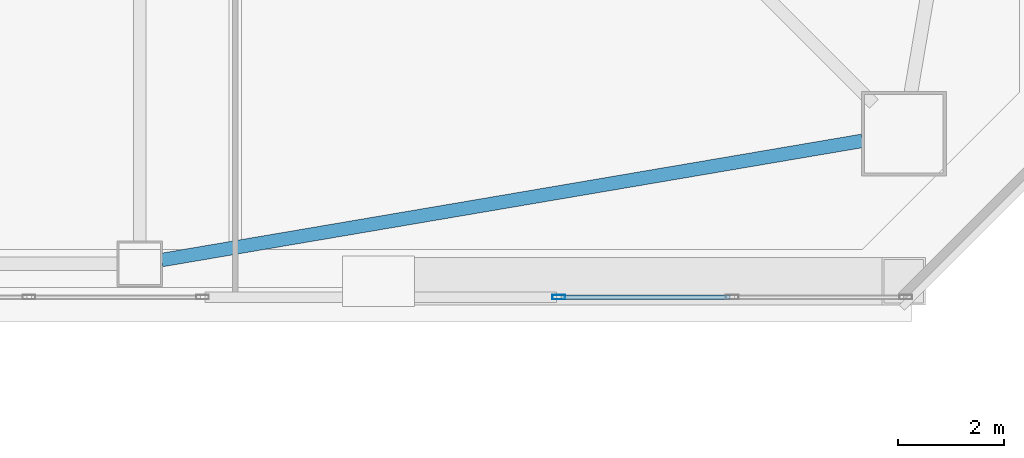
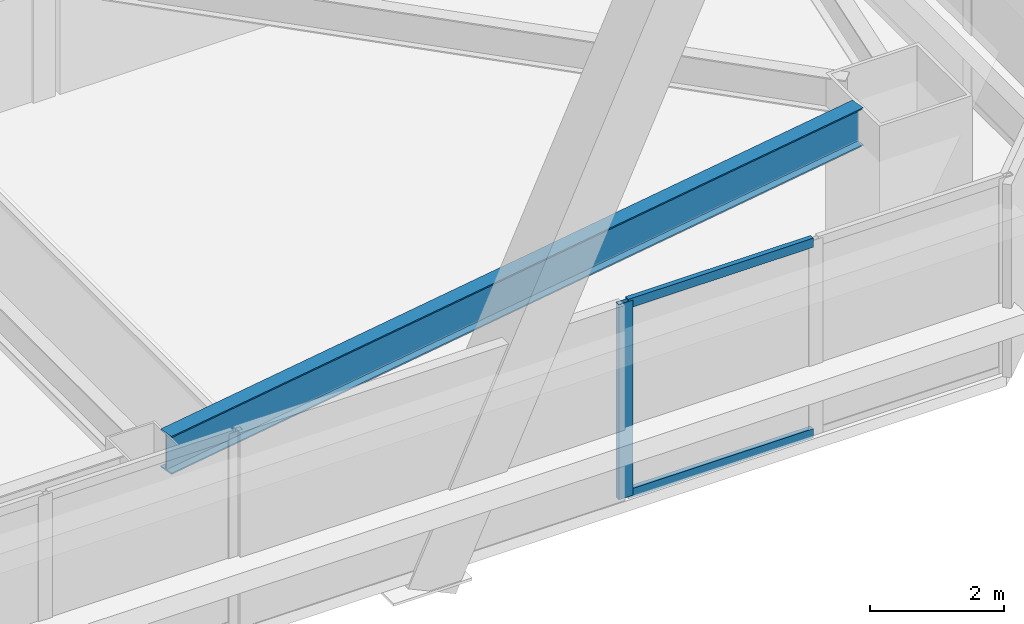
# One storey, part 10 of 75: 3 members, 1 beam, 1 element without a shape of its own.
"""IFC4 building model written with IfcOpenShell, lengths in metres."""

from ifc_helpers import new_model, si_unit, direction, frame, origin, origin_2d, place, context, subcontext, project, spatial, hollow_rectangle, i_section, extrude, material, material_profile, profile_set, type_object, element, aggregate, save


model = new_model("IFC4")

# Units and contexts
model_context = context("Model", 3, precision=1e-05, world=origin(), true_north=direction((0.0, 1.0)))
body_context = subcontext(model_context, "Body", "Model", "MODEL_VIEW")
ifc_project = project(units=[si_unit("LENGTHUNIT", "METRE"), si_unit("AREAUNIT", "SQUARE_METRE"), si_unit("VOLUMEUNIT", "CUBIC_METRE"), si_unit("PLANEANGLEUNIT", "RADIAN"), si_unit("MASSUNIT", "GRAM", prefix="KILO")], contexts=[model_context])

# Site, building, storey
site_placement = place(None, origin())
site = spatial("IfcSite", under=ifc_project, at=site_placement, CompositionType="ELEMENT")
building_placement = place(site_placement, origin())
building = spatial("IfcBuilding", under=site, at=building_placement, Name="Tashvorn Skyway Center", CompositionType="ELEMENT")
storey_placement = place(building_placement, frame((0.0, 0.0, 45.89990234375)))
storey = spatial("IfcBuildingStorey", under=building, at=storey_placement, Name="L11", CompositionType="ELEMENT", Elevation=45.89990234375)

# Beam
ifc_material_1 = material(Name="Steel ASTM A992 Grade 50", Category="steel")
ifc_material_profile_1 = material_profile(ifc_material_1, i_section(OverallWidth=0.256103515625, OverallDepth=0.693115234375, WebThickness=0.014404296875, FlangeThickness=0.023681640625, at=origin_2d()), Name="W27X114")
ifc_profile_set_1 = profile_set([ifc_material_profile_1], Name="Steel ASTM A992 Grade 50")
beam_type = type_object("IfcBeamType", Name="BM-SPANDREL-W27X114", PredefinedType="SPANDREL", material=ifc_profile_set_1)
beam_placement = place(storey_placement, frame((47.81396484375, 9.820556640625, 3.003662109375), z_axis=(0.985835025551, 0.16771792509, 0.0), x_axis=(-0.16771792509, 0.985835025551, 0.0)))
element("IfcBeam", 1, at=beam_placement, inside=storey, type_object=beam_type, Name="Tower 1 L11 Spandrel Beam 03", PredefinedType="SPANDREL", context=body_context, shape_type="SweptSolid", body=[
    extrude(i_section(OverallWidth=0.256103515625, OverallDepth=0.693115234375, WebThickness=0.014404296875, FlangeThickness=0.023681640625, at=origin_2d()), origin(), (0.0, 0.0, 1.0), 13.39208984375),
])

# Curtain wall, members
ifc_material_2 = material(Name="Thermally broken bronze-anodized aluminium 6063-T6", Category="aluminium")
curtain_wall_type = type_object("IfcCurtainWallType", Name="CW-CW-Z1", PredefinedType="NOTDEFINED", material=ifc_material_2)
curtain_wall_placement = place(storey_placement, origin())
curtain_wall = element("IfcCurtainWall", 2, at=curtain_wall_placement, inside=storey, type_object=curtain_wall_type, Name="Tower 1 L11 South Unitised Curtain Wall Glazing Group 1", PredefinedType="NOTDEFINED")
ifc_material_profile_2 = material_profile(ifc_material_2, hollow_rectangle(XDim=0.0849609375, YDim=0.239990234375, WallThickness=0.0048828125, at=origin_2d()), Name="ALU-MULL-85x240")
ifc_profile_set_2 = profile_set([ifc_material_profile_2], Name="Thermally broken bronze-anodized aluminium 6063-T6")
member_type_1 = type_object("IfcMemberType", Name="CWM-CW-Z1", PredefinedType="MULLION", material=ifc_profile_set_2)
member_1_placement = place(storey_placement, frame((55.2958984375, 9.1201171875, 0.0), z_axis=(0.0, 0.0, 1.0), x_axis=(0.0, -1.0, 0.0)))
member_1 = element("IfcMember", 3, at=member_1_placement, type_object=member_type_1, Name="CW-Z1 mullion 3", PredefinedType="MULLION", context=body_context, shape_type="SweptSolid", body=[
    extrude(hollow_rectangle(XDim=0.0849609375, YDim=0.239990234375, WallThickness=0.0048828125, at=origin_2d()), origin(), (0.0, 0.0, 1.0), 3.550048828125),
])
ifc_material_profile_3 = material_profile(ifc_material_2, hollow_rectangle(XDim=0.0849609375, YDim=0.1650390625, WallThickness=0.0048828125, at=origin_2d()), Name="ALU-TRAN-85x165")
ifc_profile_set_3 = profile_set([ifc_material_profile_3], Name="Thermally broken bronze-anodized aluminium 6063-T6")
member_type_2 = type_object("IfcMemberType", Name="CWT-CW-Z1", PredefinedType="USERDEFINED", material=ifc_profile_set_3)
member_2_placement = place(storey_placement, frame((58.524169921875, 9.1201171875, 0.04248046875), z_axis=(-1.0, 0.0, 0.0), x_axis=(0.0, -1.0, 0.0)))
member_2 = element("IfcMember", 4, at=member_2_placement, type_object=member_type_2, Name="CW-Z1 transom 2.1", ObjectType="TRANSOM", PredefinedType="USERDEFINED", context=body_context, shape_type="SweptSolid", body=[
    extrude(hollow_rectangle(XDim=0.0849609375, YDim=0.1650390625, WallThickness=0.0048828125, at=origin_2d()), origin(), (0.0, 0.0, 1.0), 3.185791015625),
])
member_3_placement = place(storey_placement, frame((58.524169921875, 9.1201171875, 3.507568359375), z_axis=(-1.0, 0.0, 0.0), x_axis=(0.0, -1.0, 0.0)))
member_3 = element("IfcMember", 5, at=member_3_placement, type_object=member_type_2, Name="CW-Z1 transom 2.2", ObjectType="TRANSOM", PredefinedType="USERDEFINED", context=body_context, shape_type="SweptSolid", body=[
    extrude(hollow_rectangle(XDim=0.0849609375, YDim=0.1650390625, WallThickness=0.0048828125, at=origin_2d()), origin(), (0.0, 0.0, 1.0), 3.185791015625),
])
aggregate(curtain_wall, [member_1, member_2, member_3])

save(model, "model.ifc")
